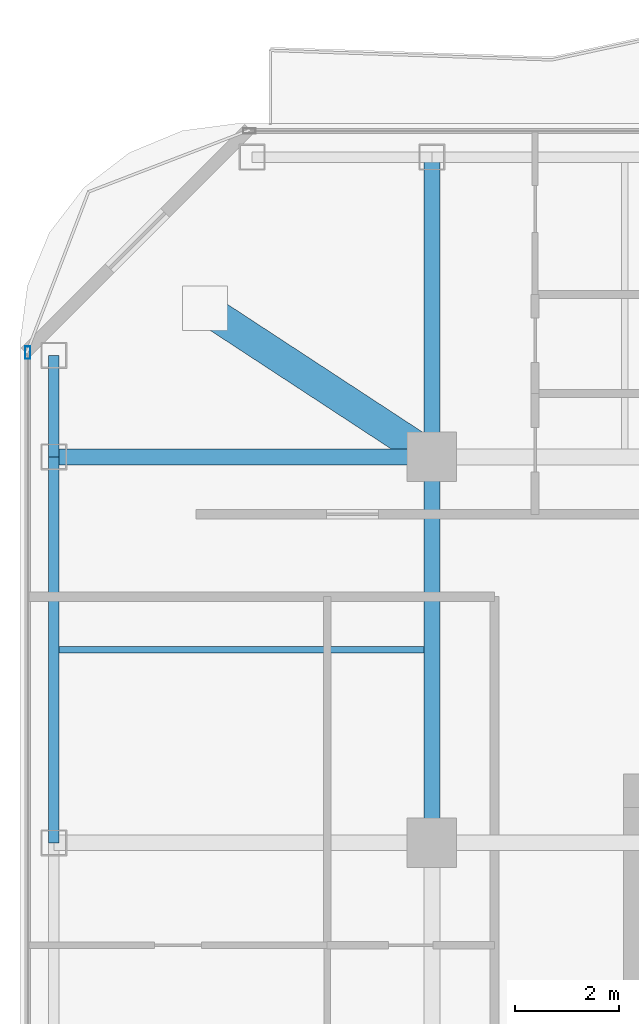
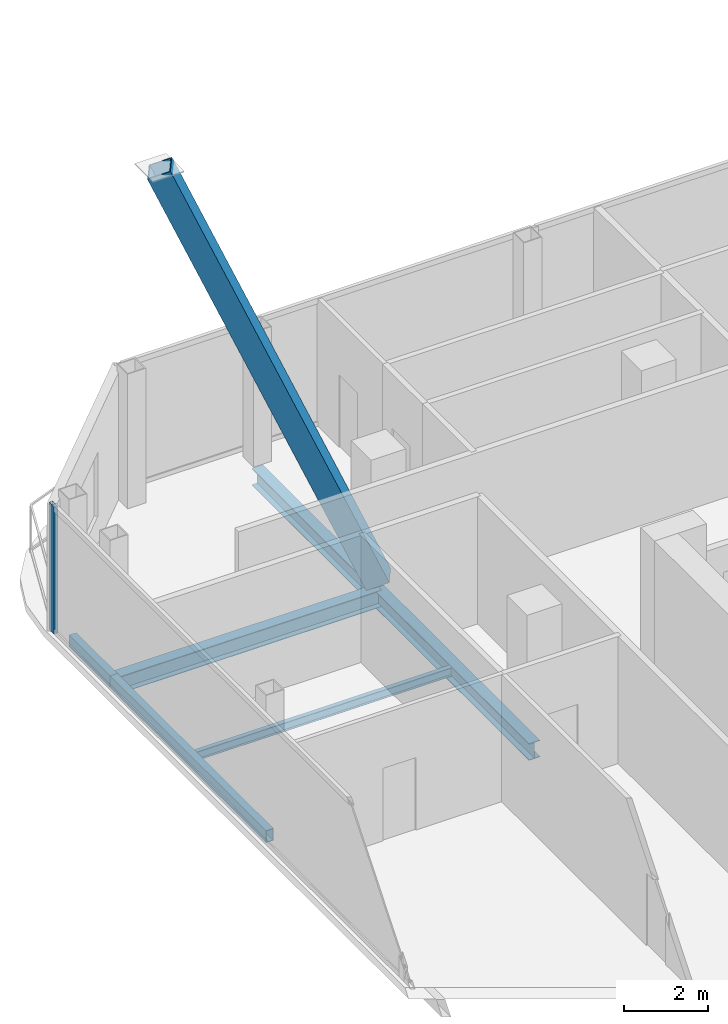
# One storey, part 11 of 24: 6 beams, 2 members, 1 element without a shape of its own.
"""IFC4 building model written with IfcOpenShell, lengths in metres."""

from ifc_helpers import new_model, si_unit, direction, frame, origin, origin_2d, place, context, subcontext, project, spatial, hollow_rectangle, i_section, extrude, material, layer, layer_set, material_profile, profile_set, type_object, element, aggregate, save


model = new_model("IFC4")

# Units and contexts
model_context = context("Model", 3, precision=1e-05, world=origin(), true_north=direction((0.0, 1.0)))
body_context = subcontext(model_context, "Body", "Model", "MODEL_VIEW")
ifc_project = project(units=[si_unit("LENGTHUNIT", "METRE"), si_unit("AREAUNIT", "SQUARE_METRE"), si_unit("VOLUMEUNIT", "CUBIC_METRE"), si_unit("PLANEANGLEUNIT", "RADIAN"), si_unit("MASSUNIT", "GRAM", prefix="KILO")], contexts=[model_context])

# Site, building, storey
site_placement = place(None, origin())
site = spatial("IfcSite", under=ifc_project, at=site_placement, CompositionType="ELEMENT")
building_placement = place(site_placement, origin())
building = spatial("IfcBuilding", under=site, at=building_placement, Name="Khorvyn Point Tower", CompositionType="ELEMENT")
storey_placement = place(building_placement, frame((0.0, 0.0, 301.5)))
storey = spatial("IfcBuildingStorey", under=building, at=storey_placement, Name="L74", CompositionType="ELEMENT", Elevation=301.5)

# Curtain wall, member
ifc_material_1 = material(Name="Anodised aluminium 6063-T6 and laminated Low-E glass", Category="aluminium")
ifc_layer = layer(ifc_material_1, 0.18994140625)
ifc_layer_set = layer_set([ifc_layer], Name="Stick-Built High-Wind Curtain Wall CW-SYS-04")
curtain_wall_type = type_object("IfcCurtainWallType", Name="Stick-Built High-Wind Curtain Wall CW-SYS-04", PredefinedType="NOTDEFINED", material=ifc_layer_set)
curtain_wall_placement = place(storey_placement, origin())
curtain_wall = element("IfcCurtainWall", 1, at=curtain_wall_placement, inside=storey, type_object=curtain_wall_type, Name="Curtain Wall", PredefinedType="NOTDEFINED")
ifc_material_2 = material(Name="Anodised aluminium 6063-T6", Category="aluminium")
ifc_material_profile_1 = material_profile(ifc_material_2, hollow_rectangle(XDim=0.10009765625, YDim=0.239990234375, WallThickness=0.0048828125, at=origin_2d()))
ifc_profile_set_1 = profile_set([ifc_material_profile_1], Name="Anodised aluminium 6063-T6 ALU-MUL-100x240")
member_type_1 = type_object("IfcMemberType", Name="Anodised Aluminium 6063-T6 Mullion ALU-MUL-100x240", PredefinedType="MULLION", material=ifc_profile_set_1)
member_1_placement = place(storey_placement, frame((-22.550048828125, 16.800048828125, 0.0), z_axis=(0.0, 0.0, 1.0), x_axis=(-1.0, 0.0, 0.0)))
member_1 = element("IfcMember", 2, at=member_1_placement, type_object=member_type_1, Name="Transom", PredefinedType="MULLION", context=body_context, shape_type="SweptSolid", body=[
    extrude(hollow_rectangle(XDim=0.10009765625, YDim=0.239990234375, WallThickness=0.0048828125, at=origin_2d()), origin(), (0.0, 0.0, 1.0), 3.679931640625),
])
aggregate(curtain_wall, [member_1])

# Beams
ifc_material_3 = material(Name="Steel S355", Category="steel")
ifc_material_profile_2 = material_profile(ifc_material_3, i_section(OverallWidth=0.125, OverallDepth=0.25, WebThickness=0.006103515625, FlangeThickness=0.009033203125, at=origin_2d()))
ifc_profile_set_2 = profile_set([ifc_material_profile_2], Name="Steel S355 H250x125x6x9")
beam_type_1 = type_object("IfcBeamType", Name="Steel S355 Joist H250x125x6x9", PredefinedType="JOIST", material=ifc_profile_set_2)
beam_1_placement = place(storey_placement, frame((-21.949951171875, 11.10009765625, -0.344970703125), z_axis=(1.0, 0.0, 0.0), x_axis=(0.0, 1.0, 0.0)))
element("IfcBeam", 3, at=beam_1_placement, inside=storey, type_object=beam_type_1, Name="Beam", PredefinedType="JOIST", context=body_context, shape_type="SweptSolid", body=[
    extrude(i_section(OverallWidth=0.125, OverallDepth=0.25, WebThickness=0.006103515625, FlangeThickness=0.009033203125, at=origin_2d()), origin(), (0.0, 0.0, 1.0), 7.0),
])
ifc_material_profile_3 = material_profile(ifc_material_3, i_section(OverallWidth=0.300048828125, OverallDepth=0.488037109375, WebThickness=0.010986328125, FlangeThickness=0.01806640625, at=origin_2d()))
ifc_profile_set_3 = profile_set([ifc_material_profile_3], Name="Steel S355 H488x300x11x18")
beam_type_2 = type_object("IfcBeamType", Name="Steel S355 Spandrel H488x300x11x18", PredefinedType="SPANDREL", material=ifc_profile_set_3)
beam_2_placement = place(storey_placement, frame((-22.050048828125, 14.800048828125, -0.464111328125), z_axis=(1.0, 0.0, 0.0), x_axis=(0.0, 1.0, 0.0)))
element("IfcBeam", 4, at=beam_2_placement, inside=storey, type_object=beam_type_2, Name="Beam", PredefinedType="SPANDREL", context=body_context, shape_type="SweptSolid", body=[
    extrude(i_section(OverallWidth=0.300048828125, OverallDepth=0.488037109375, WebThickness=0.010986328125, FlangeThickness=0.01806640625, at=origin_2d()), origin(), (0.0, 0.0, 1.0), 7.25),
])
beam_3_placement = place(storey_placement, frame((-14.800048828125, 7.39990234375, -0.464111328125), z_axis=(0.0, 1.0, 0.0), x_axis=(-1.0, 0.0, 0.0)))
element("IfcBeam", 5, at=beam_3_placement, inside=storey, type_object=beam_type_2, Name="Beam", PredefinedType="SPANDREL", context=body_context, shape_type="SweptSolid", body=[
    extrude(i_section(OverallWidth=0.300048828125, OverallDepth=0.488037109375, WebThickness=0.010986328125, FlangeThickness=0.01806640625, at=origin_2d()), origin(), (0.0, 0.0, 1.0), 7.400146484375),
])
beam_4_placement = place(storey_placement, frame((-14.800048828125, 14.800048828125, -0.464111328125), z_axis=(0.0, 1.0, 0.0), x_axis=(-1.0, 0.0, 0.0)))
element("IfcBeam", 6, at=beam_4_placement, inside=storey, type_object=beam_type_2, Name="Beam", PredefinedType="SPANDREL", context=body_context, shape_type="SweptSolid", body=[
    extrude(i_section(OverallWidth=0.300048828125, OverallDepth=0.488037109375, WebThickness=0.010986328125, FlangeThickness=0.01806640625, at=origin_2d()), origin(), (0.0, 0.0, 1.0), 5.75),
])
ifc_material_profile_4 = material_profile(ifc_material_3, hollow_rectangle(XDim=0.199951171875, YDim=0.35009765625, WallThickness=0.013916015625, at=origin_2d()))
ifc_profile_set_4 = profile_set([ifc_material_profile_4], Name="Steel S355 RHS350x200x14")
beam_type_3 = type_object("IfcBeamType", Name="Steel S355 Spandrel RHS350x200x14", PredefinedType="SPANDREL", material=ifc_profile_set_4)
beam_5_placement = place(storey_placement, frame((-22.050048828125, 7.39990234375, -0.39501953125), z_axis=(0.0, 1.0, 0.0), x_axis=(-1.0, 0.0, 0.0)))
element("IfcBeam", 7, at=beam_5_placement, inside=storey, type_object=beam_type_3, Name="Beam", PredefinedType="SPANDREL", context=body_context, shape_type="SweptSolid", body=[
    extrude(hollow_rectangle(XDim=0.199951171875, YDim=0.35009765625, WallThickness=0.013916015625, at=origin_2d()), origin(), (0.0, 0.0, 1.0), 7.400146484375),
])
beam_6_placement = place(storey_placement, frame((-22.050048828125, 14.800048828125, -0.39501953125), z_axis=(0.0, 1.0, 0.0), x_axis=(-1.0, 0.0, 0.0)))
element("IfcBeam", 8, at=beam_6_placement, inside=storey, type_object=beam_type_3, Name="Beam", PredefinedType="SPANDREL", context=body_context, shape_type="SweptSolid", body=[
    extrude(hollow_rectangle(XDim=0.199951171875, YDim=0.35009765625, WallThickness=0.013916015625, at=origin_2d()), origin(), (0.0, 0.0, 1.0), 1.949951171875),
])

# Member
ifc_material_4 = material(Name="Steel S450", Category="steel")
ifc_material_profile_5 = material_profile(ifc_material_4, hollow_rectangle(XDim=0.60009765625, YDim=0.60009765625, WallThickness=0.028076171875, at=origin_2d()))
ifc_profile_set_5 = profile_set([ifc_material_profile_5], Name="Steel S450 BOX600x600x28")
member_type_2 = type_object("IfcMemberType", Name="Steel S450 Exoskeleton Structural Post BOX600x600x28", PredefinedType="POST", material=ifc_profile_set_5)
member_2_placement = place(storey_placement, frame((-14.800048828125, 14.800048828125, 0.0), z_axis=(-0.3397371952, 0.2225824931, 0.913802862746), x_axis=(-0.548019461216, -0.836465582154, 0.0)))
element("IfcMember", 9, at=member_2_placement, inside=storey, type_object=member_type_2, Name="L74 to L77 Crown Corner Support Post 4", PredefinedType="POST", context=body_context, shape_type="SweptSolid", body=[
    extrude(hollow_rectangle(XDim=0.60009765625, YDim=0.60009765625, WallThickness=0.028076171875, at=origin_2d()), origin(), (0.0, 0.0, 1.0), 12.803466796875),
])

save(model, "model.ifc")
